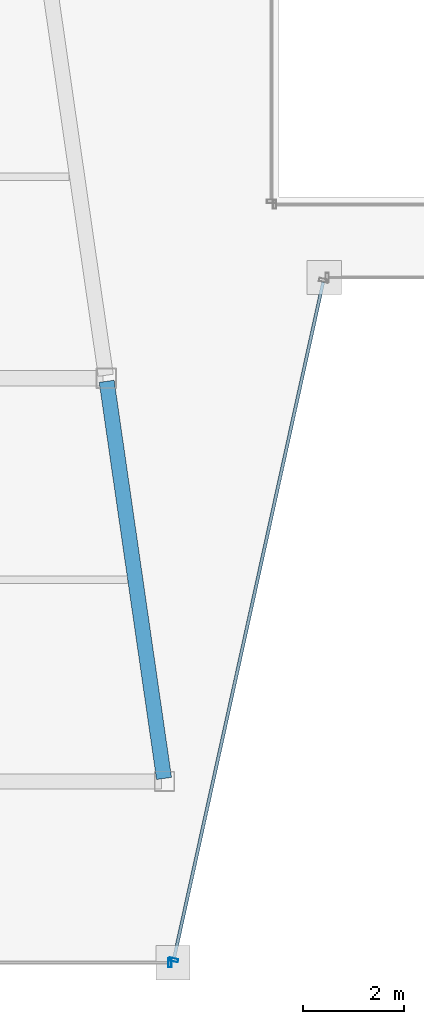
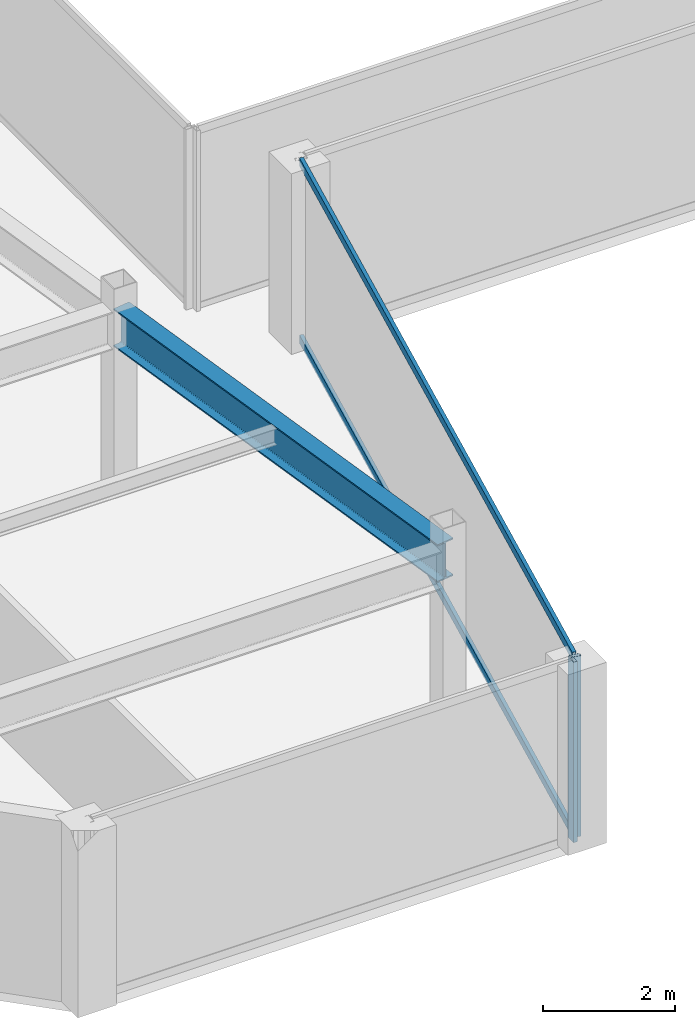
# One storey, part 6 of 34: 4 members, 1 beam, 2 elements without a shape of their own.
"""IFC4 building model written with IfcOpenShell, lengths in metres."""

from ifc_helpers import new_model, si_unit, direction, frame, origin, origin_2d, place, context, subcontext, project, spatial, hollow_rectangle, i_section, extrude, material, material_profile, profile_set, type_object, element, aggregate, save


model = new_model("IFC4")

# Units and contexts
model_context = context("Model", 3, precision=1e-05, world=origin(), true_north=direction((0.0, 1.0)))
body_context = subcontext(model_context, "Body", "Model", "MODEL_VIEW")
ifc_project = project(units=[si_unit("LENGTHUNIT", "METRE"), si_unit("AREAUNIT", "SQUARE_METRE"), si_unit("VOLUMEUNIT", "CUBIC_METRE"), si_unit("PLANEANGLEUNIT", "RADIAN"), si_unit("MASSUNIT", "GRAM", prefix="KILO")], contexts=[model_context])

# Site, building, storey
site_placement = place(None, origin())
site = spatial("IfcSite", under=ifc_project, at=site_placement, CompositionType="ELEMENT")
building_placement = place(site_placement, origin())
building = spatial("IfcBuilding", under=site, at=building_placement, Name="Saevonmaru Cultural Tower", CompositionType="ELEMENT")
storey_placement = place(building_placement, frame((0.0, 0.0, 220.800048828125)))
storey = spatial("IfcBuildingStorey", under=building, at=storey_placement, Name="L51", CompositionType="ELEMENT", Elevation=220.800048828125)

# Beam
ifc_material_1 = material(Name="Steel SM355", Category="steel")
ifc_material_profile_1 = material_profile(ifc_material_1, i_section(OverallWidth=0.300048828125, OverallDepth=0.699951171875, WebThickness=0.012939453125, FlangeThickness=0.02392578125, FilletRadius=0.02587890625, at=origin_2d()), Name="H-700x300x13x24")
ifc_profile_set_1 = profile_set([ifc_material_profile_1], Name="Steel SM355")
beam_type = type_object("IfcBeamType", Name="BM-G-H700", PredefinedType="BEAM", material=ifc_profile_set_1)
beam_placement = place(storey_placement, frame((21.91943359375, 16.059326171875, 3.0), z_axis=(-0.143022161059, 0.989719486241, 0.0), x_axis=(-0.989719486241, -0.143022161059, 0.0)))
element("IfcBeam", 1, at=beam_placement, inside=storey, type_object=beam_type, Name="L51 West Atrium Girder 1", PredefinedType="BEAM", context=body_context, shape_type="SweptSolid", body=[
    extrude(i_section(OverallWidth=0.300048828125, OverallDepth=0.699951171875, WebThickness=0.012939453125, FlangeThickness=0.02392578125, FilletRadius=0.02587890625, at=origin_2d()), origin(), (0.0, 0.0, 1.0), 7.963134765625),
])

# Curtain wall, member
ifc_material_2 = material(Name="Satin Bronze Anodised Aluminium", Category="aluminium")
curtain_wall_type = type_object("IfcCurtainWallType", Name="CW-TYP-B", PredefinedType="NOTDEFINED", material=ifc_material_2)
curtain_wall_1_placement = place(storey_placement, origin())
curtain_wall_1 = element("IfcCurtainWall", 2, at=curtain_wall_1_placement, inside=storey, type_object=curtain_wall_type, Name="L51 Unitised Curtain Wall E2", PredefinedType="NOTDEFINED")
ifc_material_profile_2 = material_profile(ifc_material_2, hollow_rectangle(XDim=0.06494140625, YDim=0.179931640625, WallThickness=0.00390625, at=origin_2d()), Name="ALU-MULL-180x65x4")
ifc_profile_set_2 = profile_set([ifc_material_profile_2], Name="Satin Bronze Anodised Aluminium")
member_type_1 = type_object("IfcMemberType", Name="ML-CW-180x65", PredefinedType="MULLION", material=ifc_profile_set_2)
member_1_placement = place(storey_placement, frame((22.037841796875, 12.39990234375, 0.0), z_axis=(0.0, 0.0, 1.0), x_axis=(1.0, 0.0, 0.0)))
member_1 = element("IfcMember", 3, at=member_1_placement, type_object=member_type_1, Name="CW-TW-L51-E2 mullion 2", PredefinedType="MULLION", context=body_context, shape_type="SweptSolid", body=[
    extrude(hollow_rectangle(XDim=0.06494140625, YDim=0.179931640625, WallThickness=0.00390625, at=origin_2d()), origin(), (0.0, 0.0, 1.0), 3.349853515625),
])
aggregate(curtain_wall_1, [member_1])

# Curtain wall, members
curtain_wall_2_placement = place(storey_placement, origin())
curtain_wall_2 = element("IfcCurtainWall", 4, at=curtain_wall_2_placement, inside=storey, type_object=curtain_wall_type, Name="L51 Unitised Curtain Wall E3", PredefinedType="NOTDEFINED")
member_2_placement = place(storey_placement, frame((22.110595703125, 12.45849609375, 0.0), z_axis=(0.0, 0.0, 1.0), x_axis=(0.215413319953, 0.976522965212, 0.0)))
member_2 = element("IfcMember", 5, at=member_2_placement, type_object=member_type_1, Name="CW-TW-L51-E3 mullion 1", PredefinedType="MULLION", context=body_context, shape_type="SweptSolid", body=[
    extrude(hollow_rectangle(XDim=0.06494140625, YDim=0.179931640625, WallThickness=0.00390625, at=origin_2d()), origin(), (0.0, 0.0, 1.0), 3.349853515625),
])
ifc_material_profile_3 = material_profile(ifc_material_2, hollow_rectangle(XDim=0.06494140625, YDim=0.14990234375, WallThickness=0.00390625, at=origin_2d()), Name="ALU-TRAN-150x65x4")
ifc_profile_set_3 = profile_set([ifc_material_profile_3], Name="Satin Bronze Anodised Aluminium")
member_type_2 = type_object("IfcMemberType", Name="TR-CW-150x65", PredefinedType="USERDEFINED", material=ifc_profile_set_3)
member_3_placement = place(storey_placement, frame((22.11767578125, 12.490234375, 0.032470703125), z_axis=(0.21541214732, 0.976523223885, 0.0), x_axis=(-0.976523223885, 0.21541214732, 0.0)))
member_3 = element("IfcMember", 6, at=member_3_placement, type_object=member_type_2, Name="CW-TW-L51-E3 transom 1.1", ObjectType="TRANSOM", PredefinedType="USERDEFINED", context=body_context, shape_type="SweptSolid", body=[
    extrude(hollow_rectangle(XDim=0.06494140625, YDim=0.14990234375, WallThickness=0.00390625, at=origin_2d()), origin(), (0.0, 0.0, 1.0), 13.741943359375),
])
member_4_placement = place(storey_placement, frame((22.11767578125, 12.490234375, 3.3173828125), z_axis=(0.21541214732, 0.976523223885, 0.0), x_axis=(-0.976523223885, 0.21541214732, 0.0)))
member_4 = element("IfcMember", 7, at=member_4_placement, type_object=member_type_2, Name="CW-TW-L51-E3 transom 1.2", ObjectType="TRANSOM", PredefinedType="USERDEFINED", context=body_context, shape_type="SweptSolid", body=[
    extrude(hollow_rectangle(XDim=0.06494140625, YDim=0.14990234375, WallThickness=0.00390625, at=origin_2d()), origin(), (0.0, 0.0, 1.0), 13.741943359375),
])
aggregate(curtain_wall_2, [member_2, member_3, member_4])

save(model, "model.ifc")
